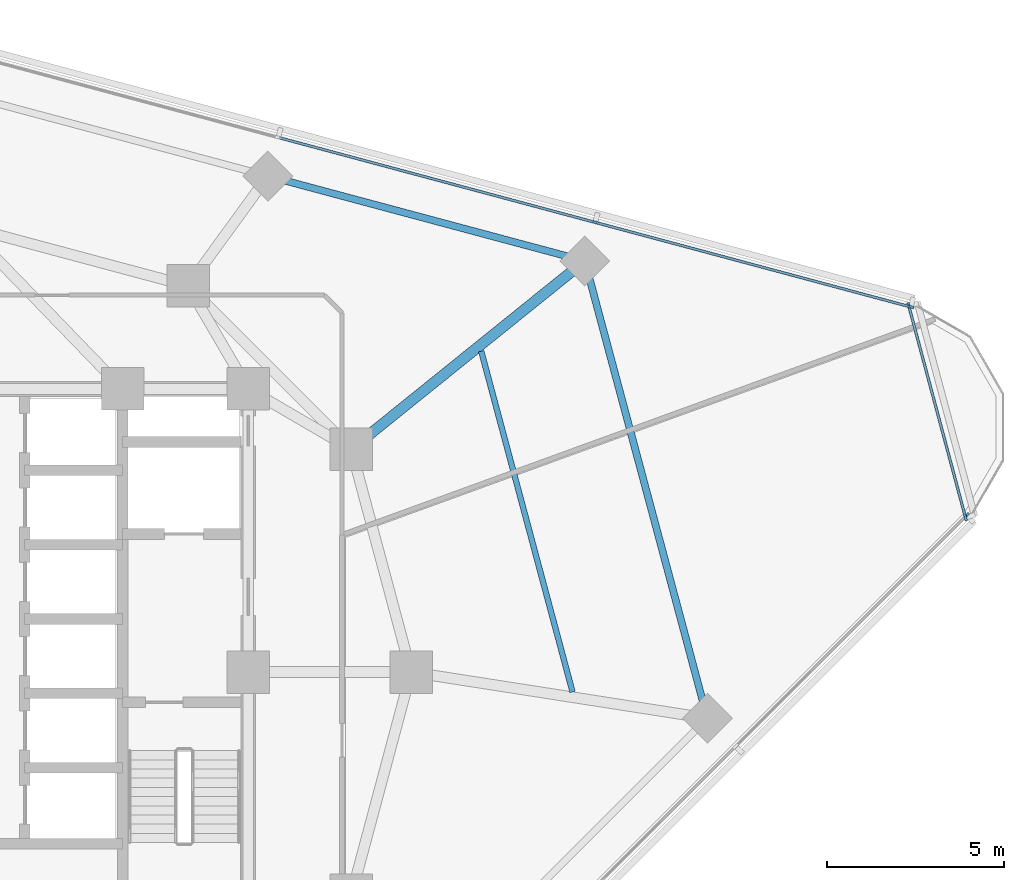
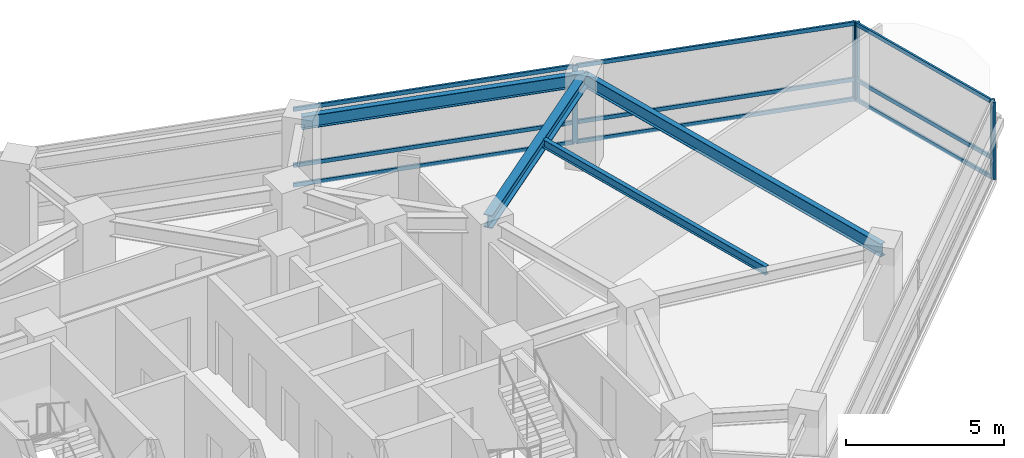
# One storey, part 5 of 13: 14 members, 4 beams, 3 elements without a shape of their own.
"""IFC4 building model written with IfcOpenShell, lengths in metres."""

from ifc_helpers import new_model, si_unit, direction, frame, origin, origin_2d, place, context, subcontext, project, spatial, rectangle, i_section, extrude, material, layer, layer_set, material_profile, profile_set, type_object, element, aggregate, save


model = new_model("IFC4")

# Units and contexts
model_context = context("Model", 3, precision=1e-05, world=origin(), true_north=direction((0.0, 1.0)))
body_context = subcontext(model_context, "Body", "Model", "MODEL_VIEW")
ifc_project = project(units=[si_unit("LENGTHUNIT", "METRE"), si_unit("AREAUNIT", "SQUARE_METRE"), si_unit("VOLUMEUNIT", "CUBIC_METRE"), si_unit("PLANEANGLEUNIT", "RADIAN"), si_unit("MASSUNIT", "GRAM", prefix="KILO")], contexts=[model_context])

# Site, building, storey
site_placement = place(None, origin())
site = spatial("IfcSite", under=ifc_project, at=site_placement, CompositionType="ELEMENT")
building_placement = place(site_placement, origin())
building = spatial("IfcBuilding", under=site, at=building_placement, Name="Terralouvre Media Tower", CompositionType="ELEMENT")
storey_placement = place(building_placement, frame((0.0, 0.0, 195.300048828125)))
storey = spatial("IfcBuildingStorey", under=building, at=storey_placement, Name="L50", CompositionType="ELEMENT", Elevation=195.300048828125)

# Beam
ifc_material_1 = material(Name="Structural steel S355J2", Category="steel")
ifc_material_profile_1 = material_profile(ifc_material_1, i_section(OverallWidth=0.159912109375, OverallDepth=0.330078125, WebThickness=0.007568359375, FlangeThickness=0.011474609375, at=origin_2d()), Name="IPE 330")
ifc_profile_set_1 = profile_set([ifc_material_profile_1], Name="Structural steel S355J2")
beam_type_1 = type_object("IfcBeamType", Name="Composite Floor Joist J-IPE330 (IPE 330)", PredefinedType="JOIST", material=ifc_profile_set_1)
beam_1_placement = place(storey_placement, frame((17.16357421875, -0.56103515625, 3.3349609375), z_axis=(-0.258827084055, 0.965923672222, 0.0), x_axis=(-0.965923672222, -0.258827084055, 0.0)))
element("IfcBeam", 1, at=beam_1_placement, inside=storey, type_object=beam_type_1, Name="L50 Framing Beam JT-L50-03", PredefinedType="JOIST", context=body_context, shape_type="SweptSolid", body=[
    extrude(i_section(OverallWidth=0.159912109375, OverallDepth=0.330078125, WebThickness=0.007568359375, FlangeThickness=0.011474609375, at=origin_2d()), origin(), (0.0, 0.0, 1.0), 9.96826171875),
])

# Curtain wall, members
ifc_material_2 = material(Name="Low-iron laminated double glazing with solar-control coating", Category="glass")
ifc_layer_1 = layer(ifc_material_2, 0.1650390625, Name="Production Studio Tower Curtain Wall CW-03")
ifc_layer_set_1 = layer_set([ifc_layer_1], Name="Low-iron laminated double glazing with solar-control coating")
curtain_wall_type_1 = type_object("IfcCurtainWallType", Name="Production Studio Tower Curtain Wall CW-03", PredefinedType="NOTDEFINED", material=ifc_layer_set_1)
curtain_wall_1_placement = place(storey_placement, origin())
curtain_wall_1 = element("IfcCurtainWall", 2, at=curtain_wall_1_placement, inside=storey, type_object=curtain_wall_type_1, Name="L50 Facade Curtain Wall F1", PredefinedType="NOTDEFINED")
ifc_material_3 = material(Name="Anodised extruded aluminium 6063-T6", Category="aluminium")
ifc_material_profile_2 = material_profile(ifc_material_3, rectangle(XDim=0.074951171875, YDim=0.14990234375, at=origin_2d()), Name="ALU 75x150")
ifc_profile_set_2 = profile_set([ifc_material_profile_2], Name="Anodised extruded aluminium 6063-T6")
member_type_1 = type_object("IfcMemberType", Name="Curtain-Wall Horizontal Transom TR-150", PredefinedType="USERDEFINED", material=ifc_profile_set_2)
member_1_placement = place(storey_placement, frame((26.687255859375, 10.32763671875, 0.037353515625), z_axis=(-0.965927230856, 0.25881380313, 0.0), x_axis=(-0.25881380313, -0.965927230856, 0.0)))
member_1 = element("IfcMember", 3, at=member_1_placement, type_object=member_type_1, Name="CW-03 transom 1.1", ObjectType="TRANSOM", PredefinedType="USERDEFINED", context=body_context, shape_type="SweptSolid", body=[
    extrude(rectangle(XDim=0.074951171875, YDim=0.14990234375, at=origin_2d()), origin(), (0.0, 0.0, 1.0), 9.159423828125),
])
member_2_placement = place(storey_placement, frame((26.687255859375, 10.32763671875, 0.800048828125), z_axis=(-0.965927230856, 0.25881380313, 0.0), x_axis=(-0.25881380313, -0.965927230856, 0.0)))
member_2 = element("IfcMember", 4, at=member_2_placement, type_object=member_type_1, Name="CW-03 transom 1.2", ObjectType="TRANSOM", PredefinedType="USERDEFINED", context=body_context, shape_type="SweptSolid", body=[
    extrude(rectangle(XDim=0.074951171875, YDim=0.14990234375, at=origin_2d()), origin(), (0.0, 0.0, 1.0), 9.159423828125),
])
member_3_placement = place(storey_placement, frame((26.687255859375, 10.32763671875, 2.96240234375), z_axis=(-0.965927230856, 0.25881380313, 0.0), x_axis=(-0.25881380313, -0.965927230856, 0.0)))
member_3 = element("IfcMember", 5, at=member_3_placement, type_object=member_type_1, Name="CW-03 transom 1.3", ObjectType="TRANSOM", PredefinedType="USERDEFINED", context=body_context, shape_type="SweptSolid", body=[
    extrude(rectangle(XDim=0.074951171875, YDim=0.14990234375, at=origin_2d()), origin(), (0.0, 0.0, 1.0), 9.159423828125),
])
member_4_placement = place(storey_placement, frame((17.767578125, 12.7177734375, 0.037353515625), z_axis=(-0.965926723605, 0.25881569625, 0.0), x_axis=(-0.25881569625, -0.965926723605, 0.0)))
member_4 = element("IfcMember", 6, at=member_4_placement, type_object=member_type_1, Name="CW-03 transom 2.1", ObjectType="TRANSOM", PredefinedType="USERDEFINED", context=body_context, shape_type="SweptSolid", body=[
    extrude(rectangle(XDim=0.074951171875, YDim=0.14990234375, at=origin_2d()), origin(), (0.0, 0.0, 1.0), 9.197265625),
])
member_5_placement = place(storey_placement, frame((17.767578125, 12.7177734375, 0.800048828125), z_axis=(-0.965926723605, 0.25881569625, 0.0), x_axis=(-0.25881569625, -0.965926723605, 0.0)))
member_5 = element("IfcMember", 7, at=member_5_placement, type_object=member_type_1, Name="CW-03 transom 2.2", ObjectType="TRANSOM", PredefinedType="USERDEFINED", context=body_context, shape_type="SweptSolid", body=[
    extrude(rectangle(XDim=0.074951171875, YDim=0.14990234375, at=origin_2d()), origin(), (0.0, 0.0, 1.0), 9.197265625),
])
member_6_placement = place(storey_placement, frame((17.767578125, 12.7177734375, 2.96240234375), z_axis=(-0.965926723605, 0.25881569625, 0.0), x_axis=(-0.25881569625, -0.965926723605, 0.0)))
member_6 = element("IfcMember", 8, at=member_6_placement, type_object=member_type_1, Name="CW-03 transom 2.3", ObjectType="TRANSOM", PredefinedType="USERDEFINED", context=body_context, shape_type="SweptSolid", body=[
    extrude(rectangle(XDim=0.074951171875, YDim=0.14990234375, at=origin_2d()), origin(), (0.0, 0.0, 1.0), 9.197265625),
])

ifc_material_4 = material(Name="Low-iron laminated double glazing with solar-control coating", Category="glass")
ifc_layer_2 = layer(ifc_material_4, 0.1650390625, Name="Rounded Wind-Corner Curved Glazing CW-04")
ifc_layer_set_2 = layer_set([ifc_layer_2], Name="Low-iron laminated double glazing with solar-control coating")
curtain_wall_type_2 = type_object("IfcCurtainWallType", Name="Rounded Wind-Corner Curved Glazing CW-04", PredefinedType="NOTDEFINED", material=ifc_layer_set_2)
curtain_wall_2_placement = place(storey_placement, origin())
curtain_wall_2 = element("IfcCurtainWall", 9, at=curtain_wall_2_placement, inside=storey, type_object=curtain_wall_type_2, Name="L50 Rounded Wind-Corner Curtain Wall C1", PredefinedType="NOTDEFINED")
member_7_placement = place(storey_placement, frame((28.259033203125, 4.404052734375, 0.037353515625), z_axis=(-0.25882448687, 0.965924368155, 0.0), x_axis=(-0.965924368155, -0.25882448687, 0.0)))
member_7 = element("IfcMember", 10, at=member_7_placement, type_object=member_type_1, Name="CW-04 transom 1.1", ObjectType="TRANSOM", PredefinedType="USERDEFINED", context=body_context, shape_type="SweptSolid", body=[
    extrude(rectangle(XDim=0.074951171875, YDim=0.14990234375, at=origin_2d()), origin(), (0.0, 0.0, 1.0), 6.119873046875),
])
member_8_placement = place(storey_placement, frame((28.259033203125, 4.404052734375, 0.800048828125), z_axis=(-0.25882448687, 0.965924368155, 0.0), x_axis=(-0.965924368155, -0.25882448687, 0.0)))
member_8 = element("IfcMember", 11, at=member_8_placement, type_object=member_type_1, Name="CW-04 transom 1.2", ObjectType="TRANSOM", PredefinedType="USERDEFINED", context=body_context, shape_type="SweptSolid", body=[
    extrude(rectangle(XDim=0.074951171875, YDim=0.14990234375, at=origin_2d()), origin(), (0.0, 0.0, 1.0), 6.119873046875),
])
member_9_placement = place(storey_placement, frame((28.259033203125, 4.404052734375, 2.96240234375), z_axis=(-0.25882448687, 0.965924368155, 0.0), x_axis=(-0.965924368155, -0.25882448687, 0.0)))
member_9 = element("IfcMember", 12, at=member_9_placement, type_object=member_type_1, Name="CW-04 transom 1.3", ObjectType="TRANSOM", PredefinedType="USERDEFINED", context=body_context, shape_type="SweptSolid", body=[
    extrude(rectangle(XDim=0.074951171875, YDim=0.14990234375, at=origin_2d()), origin(), (0.0, 0.0, 1.0), 6.119873046875),
])

# Curtain wall, member
curtain_wall_3_placement = place(storey_placement, origin())
curtain_wall_3 = element("IfcCurtainWall", 13, at=curtain_wall_3_placement, inside=storey, type_object=curtain_wall_type_1, Name="L50 Facade Curtain Wall F0", PredefinedType="NOTDEFINED")
ifc_material_5 = material(Name="Anodised extruded aluminium 6063-T6", Category="aluminium")
ifc_material_profile_3 = material_profile(ifc_material_5, rectangle(XDim=0.074951171875, YDim=0.179931640625, at=origin_2d()), Name="ALU 75x180")
ifc_profile_set_3 = profile_set([ifc_material_profile_3], Name="Anodised extruded aluminium 6063-T6")
member_type_2 = type_object("IfcMemberType", Name="Curtain-Wall Vertical Mullion ML-180", PredefinedType="MULLION", material=ifc_profile_set_3)
member_10_placement = place(storey_placement, frame((28.30224609375, 4.42626953125, 0.0), z_axis=(0.0, 0.0, 1.0), x_axis=(-0.707106781187, 0.707106781187, 0.0)))
member_10 = element("IfcMember", 14, at=member_10_placement, type_object=member_type_2, Name="CW-03 mullion 6", PredefinedType="MULLION", context=body_context, shape_type="SweptSolid", body=[
    extrude(rectangle(XDim=0.074951171875, YDim=0.179931640625, at=origin_2d()), origin(), (0.0, 0.0, 1.0), 3.0),
])
aggregate(curtain_wall_3, [member_10])

# Member
member_11_placement = place(storey_placement, frame((26.7236328125, 10.31787109375, 0.0), z_axis=(0.0, 0.0, 1.0), x_axis=(-0.25881903342, -0.96592582942, 0.0)))
member_11 = element("IfcMember", 15, at=member_11_placement, type_object=member_type_2, Name="CW-03 mullion 1", PredefinedType="MULLION", context=body_context, shape_type="SweptSolid", body=[
    extrude(rectangle(XDim=0.074951171875, YDim=0.179931640625, at=origin_2d()), origin(), (0.0, 0.0, 1.0), 3.0),
])

member_12_placement = place(storey_placement, frame((17.8037109375, 12.7080078125, 0.0), z_axis=(0.0, 0.0, 1.0), x_axis=(-0.25881903342, -0.96592582942, 0.0)))
member_12 = element("IfcMember", 16, at=member_12_placement, type_object=member_type_2, Name="CW-03 mullion 2", PredefinedType="MULLION", context=body_context, shape_type="SweptSolid", body=[
    extrude(rectangle(XDim=0.074951171875, YDim=0.179931640625, at=origin_2d()), origin(), (0.0, 0.0, 1.0), 3.0),
])

aggregate(curtain_wall_1, [member_11, member_12, member_1, member_2, member_3, member_4, member_5, member_6])

member_13_placement = place(storey_placement, frame((28.268798828125, 4.367919921875, 0.0), z_axis=(0.0, 0.0, 1.0), x_axis=(-0.965925911218, -0.258818728144, 0.0)))
member_13 = element("IfcMember", 17, at=member_13_placement, type_object=member_type_2, Name="CW-04 mullion 1", PredefinedType="MULLION", context=body_context, shape_type="SweptSolid", body=[
    extrude(rectangle(XDim=0.074951171875, YDim=0.179931640625, at=origin_2d()), origin(), (0.0, 0.0, 1.0), 3.0),
])

member_14_placement = place(storey_placement, frame((26.665283203125, 10.351806640625, 0.0), z_axis=(0.0, 0.0, 1.0), x_axis=(-0.965925911218, -0.258818728144, 0.0)))
member_14 = element("IfcMember", 18, at=member_14_placement, type_object=member_type_2, Name="CW-04 mullion 2", PredefinedType="MULLION", context=body_context, shape_type="SweptSolid", body=[
    extrude(rectangle(XDim=0.074951171875, YDim=0.179931640625, at=origin_2d()), origin(), (0.0, 0.0, 1.0), 3.0),
])

aggregate(curtain_wall_2, [member_13, member_14, member_7, member_8, member_9])

# Beams
ifc_material_6 = material(Name="Structural steel S355J2", Category="steel")
ifc_material_profile_4 = material_profile(ifc_material_6, i_section(OverallWidth=0.199951171875, OverallDepth=0.5, WebThickness=0.01025390625, FlangeThickness=0.01611328125, at=origin_2d()), Name="IPE 500")
ifc_profile_set_4 = profile_set([ifc_material_profile_4], Name="Structural steel S355J2")
beam_type_2 = type_object("IfcBeamType", Name="Perimeter Spandrel Beam SPB-500 (IPE 500)", PredefinedType="SPANDREL", material=ifc_profile_set_4)
beam_2_placement = place(storey_placement, frame((20.973388671875, -1.3046875, 3.25), z_axis=(-0.258815451972, 0.965926789058, 0.0), x_axis=(-0.965926789058, -0.258815451972, 0.0)))
element("IfcBeam", 19, at=beam_2_placement, inside=storey, type_object=beam_type_2, Name="L50 Framing Beam BM-L50-PR06", PredefinedType="SPANDREL", context=body_context, shape_type="SweptSolid", body=[
    extrude(i_section(OverallWidth=0.199951171875, OverallDepth=0.5, WebThickness=0.01025390625, FlangeThickness=0.01611328125, at=origin_2d()), origin(), (0.0, 0.0, 1.0), 13.376953125),
])
beam_3_placement = place(storey_placement, frame((17.51123046875, 11.616455078125, 3.25), z_axis=(-0.965922193685, 0.258832601786, 0.0), x_axis=(-0.258832601786, -0.965922193685, 0.0)))
element("IfcBeam", 20, at=beam_3_placement, inside=storey, type_object=beam_type_2, Name="L50 Framing Beam BM-L50-PR07", PredefinedType="SPANDREL", context=body_context, shape_type="SweptSolid", body=[
    extrude(i_section(OverallWidth=0.199951171875, OverallDepth=0.5, WebThickness=0.01025390625, FlangeThickness=0.01611328125, at=origin_2d()), origin(), (0.0, 0.0, 1.0), 9.27197265625),
])
ifc_material_7 = material(Name="Structural steel S355J2", Category="steel")
ifc_material_profile_5 = material_profile(ifc_material_7, i_section(OverallWidth=0.300048828125, OverallDepth=0.5, WebThickness=0.014404296875, FlangeThickness=0.028076171875, at=origin_2d()), Name="HEB 500")
ifc_profile_set_5 = profile_set([ifc_material_profile_5], Name="Structural steel S355J2")
beam_type_3 = type_object("IfcBeamType", Name="Primary Floor Girder B-HEB500 (HEB 500)", PredefinedType="BEAM", material=ifc_profile_set_5)
beam_4_placement = place(storey_placement, frame((10.911865234375, 6.300048828125, 3.25), z_axis=(0.778739443649, 0.62734749454, 0.0), x_axis=(-0.62734749454, 0.778739443649, 0.0)))
element("IfcBeam", 21, at=beam_4_placement, inside=storey, type_object=beam_type_3, Name="L50 Framing Beam BM-L50-RD07", PredefinedType="BEAM", context=body_context, shape_type="SweptSolid", body=[
    extrude(i_section(OverallWidth=0.300048828125, OverallDepth=0.5, WebThickness=0.014404296875, FlangeThickness=0.028076171875, at=origin_2d()), origin(), (0.0, 0.0, 1.0), 8.474365234375),
])

save(model, "model.ifc")
